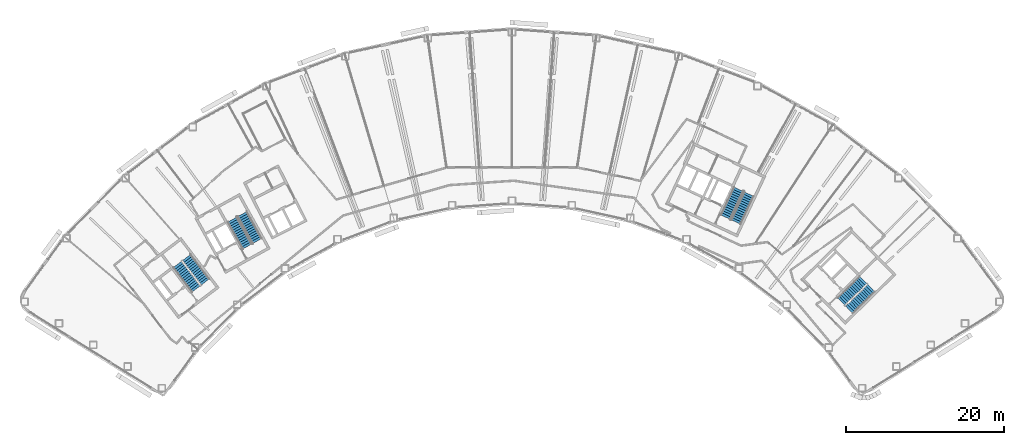
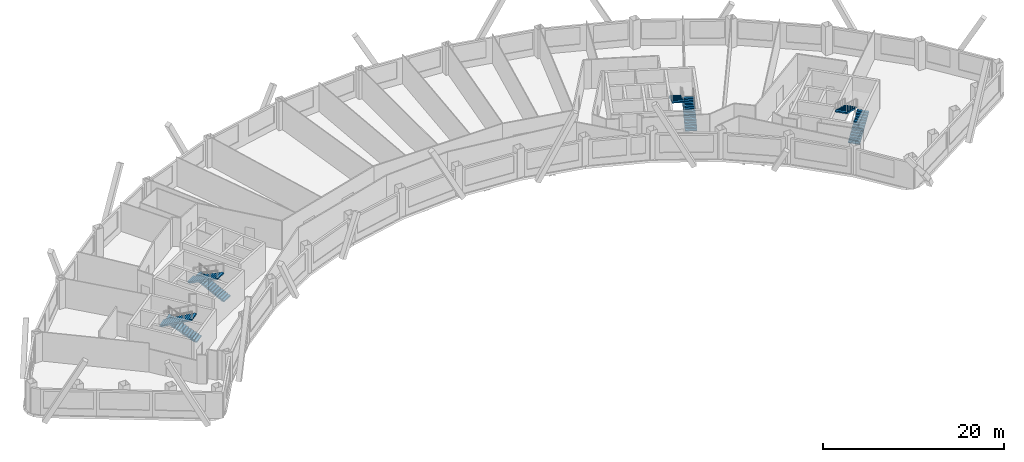
# One storey, part 12 of 14: 8 stair flights, 4 elements without a shape of their own.
"""IFC4 building model written with IfcOpenShell, lengths in metres."""

from ifc_helpers import new_model, si_unit, direction, frame, origin, place, context, subcontext, project, spatial, polyline, outline, extrude, material, type_object, element, aggregate, save


model = new_model("IFC4")

# Units and contexts
model_context = context("Model", 3, precision=1e-05, world=origin(), true_north=direction((0.0, 1.0)))
body_context = subcontext(model_context, "Body", "Model", "MODEL_VIEW")
ifc_project = project(units=[si_unit("LENGTHUNIT", "METRE"), si_unit("AREAUNIT", "SQUARE_METRE"), si_unit("VOLUMEUNIT", "CUBIC_METRE"), si_unit("PLANEANGLEUNIT", "RADIAN"), si_unit("MASSUNIT", "GRAM", prefix="KILO")], contexts=[model_context])

# Site, building, storey
site_placement = place(None, origin())
site = spatial("IfcSite", under=ifc_project, at=site_placement, CompositionType="ELEMENT")
building_placement = place(site_placement, origin())
building = spatial("IfcBuilding", under=site, at=building_placement, Name="Tuul Gate Civic Tower", CompositionType="ELEMENT")
storey_placement = place(building_placement, frame((0.0, 0.0, 209.5)))
storey = spatial("IfcBuildingStorey", under=building, at=storey_placement, Name="Level 47", CompositionType="ELEMENT", Elevation=209.5)

# Stair, stair flights
ifc_material_1 = material(Name="Concrete C40/50", Category="concrete")
stair_type = type_object("IfcStairType", Name="Exit stair", PredefinedType="HALF_TURN_STAIR", material=ifc_material_1)
stair_1_placement = place(storey_placement, origin())
stair_1 = element("IfcStair", 1, at=stair_1_placement, inside=storey, type_object=stair_type, Name="Level 47 ST-1", PredefinedType="HALF_TURN_STAIR")
ifc_material_2 = material(Name="Concrete C40/50", Category="concrete")
stair_flight_type = type_object("IfcStairFlightType", Name="Exit stair flight", PredefinedType="STRAIGHT", material=ifc_material_2)
stair_flight_1_placement = place(storey_placement, frame((-32.875244140625, -13.066650390625, 0.0), z_axis=(0.0, 0.0, 1.0), x_axis=(-0.605764474941, 0.795644016442, 0.0)))
stair_flight_1 = element("IfcStairFlight", 2, at=stair_flight_1_placement, type_object=stair_flight_type, Name="ST-1 flight 1", NumberOfRisers=14, NumberOfTreads=13, PredefinedType="STRAIGHT", RiserHeight=0.15, TreadLength=0.3, context=body_context, shape_type="SweptSolid", body=[
    extrude(outline(polyline([(0.0, 0.0), (0.0, 0.14990234375), (0.300048828125, 0.14990234375), (0.300048828125, 0.300048828125), (0.60009765625, 0.300048828125), (0.60009765625, 0.449951171875), (0.89990234375, 0.449951171875), (0.89990234375, 0.60009765625), (1.199951171875, 0.60009765625), (1.199951171875, 0.75), (1.5, 0.75), (1.5, 0.89990234375), (1.800048828125, 0.89990234375), (1.800048828125, 1.050048828125), (2.10009765625, 1.050048828125), (2.10009765625, 1.199951171875), (2.39990234375, 1.199951171875), (2.39990234375, 1.35009765625), (2.699951171875, 1.35009765625), (2.699951171875, 1.5), (3.0, 1.5), (3.0, 1.64990234375), (3.300048828125, 1.64990234375), (3.300048828125, 1.800048828125), (3.60009765625, 1.800048828125), (3.60009765625, 1.949951171875), (3.89990234375, 1.949951171875), (3.89990234375, 2.10009765625), (3.89990234375, 1.782470703125), (0.335205078125, 0.0), (0.0, 0.0)])), frame((0.0, 0.675048828125, 0.0), z_axis=(0.0, -1.0, 0.0), x_axis=(1.0, 0.0, 0.0)), (0.0, 0.0, 1.0), 1.35009765625),
])
stair_flight_2_placement = place(storey_placement, frame((-36.391357421875, -10.842041015625, 2.10009765625), z_axis=(0.0, 0.0, 1.0), x_axis=(0.605764474941, -0.795644016442, 0.0)))
stair_flight_2 = element("IfcStairFlight", 3, at=stair_flight_2_placement, type_object=stair_flight_type, Name="ST-1 flight 2", NumberOfRisers=14, NumberOfTreads=13, PredefinedType="STRAIGHT", RiserHeight=0.15, TreadLength=0.3, context=body_context, shape_type="SweptSolid", body=[
    extrude(outline(polyline([(0.0, 0.0), (0.0, 0.14990234375), (0.300048828125, 0.14990234375), (0.300048828125, 0.300048828125), (0.60009765625, 0.300048828125), (0.60009765625, 0.449951171875), (0.89990234375, 0.449951171875), (0.89990234375, 0.60009765625), (1.199951171875, 0.60009765625), (1.199951171875, 0.75), (1.5, 0.75), (1.5, 0.89990234375), (1.800048828125, 0.89990234375), (1.800048828125, 1.050048828125), (2.10009765625, 1.050048828125), (2.10009765625, 1.199951171875), (2.39990234375, 1.199951171875), (2.39990234375, 1.35009765625), (2.699951171875, 1.35009765625), (2.699951171875, 1.5), (3.0, 1.5), (3.0, 1.64990234375), (3.300048828125, 1.64990234375), (3.300048828125, 1.800048828125), (3.60009765625, 1.800048828125), (3.60009765625, 1.949951171875), (3.89990234375, 1.949951171875), (3.89990234375, 2.10009765625), (3.89990234375, 1.782470703125), (0.335205078125, 0.0), (0.0, 0.0)])), frame((0.0, 0.675048828125, 0.0), z_axis=(0.0, -1.0, 0.0), x_axis=(1.0, 0.0, 0.0)), (0.0, 0.0, 1.0), 1.35009765625),
])
aggregate(stair_1, [stair_flight_1, stair_flight_2])

stair_2_placement = place(storey_placement, origin())
stair_2 = element("IfcStair", 4, at=stair_2_placement, inside=storey, type_object=stair_type, Name="Level 47 ST-2", PredefinedType="HALF_TURN_STAIR")
stair_flight_3_placement = place(storey_placement, frame((-26.29150390625, -7.87646484375, 0.0), z_axis=(0.0, 0.0, 1.0), x_axis=(-0.484761763766, 0.874646232708, 0.0)))
stair_flight_3 = element("IfcStairFlight", 5, at=stair_flight_3_placement, type_object=stair_flight_type, Name="ST-2 flight 1", NumberOfRisers=14, NumberOfTreads=13, PredefinedType="STRAIGHT", RiserHeight=0.15, TreadLength=0.3, context=body_context, shape_type="SweptSolid", body=[
    extrude(outline(polyline([(0.0, 0.0), (0.0, 0.14990234375), (0.300048828125, 0.14990234375), (0.300048828125, 0.300048828125), (0.60009765625, 0.300048828125), (0.60009765625, 0.449951171875), (0.89990234375, 0.449951171875), (0.89990234375, 0.60009765625), (1.199951171875, 0.60009765625), (1.199951171875, 0.75), (1.5, 0.75), (1.5, 0.89990234375), (1.800048828125, 0.89990234375), (1.800048828125, 1.050048828125), (2.10009765625, 1.050048828125), (2.10009765625, 1.199951171875), (2.39990234375, 1.199951171875), (2.39990234375, 1.35009765625), (2.699951171875, 1.35009765625), (2.699951171875, 1.5), (3.0, 1.5), (3.0, 1.64990234375), (3.300048828125, 1.64990234375), (3.300048828125, 1.800048828125), (3.60009765625, 1.800048828125), (3.60009765625, 1.949951171875), (3.89990234375, 1.949951171875), (3.89990234375, 2.10009765625), (3.89990234375, 1.782470703125), (0.335205078125, 0.0), (0.0, 0.0)])), frame((0.0, 0.675048828125, 0.0), z_axis=(0.0, -1.0, 0.0), x_axis=(1.0, 0.0, 0.0)), (0.0, 0.0, 1.0), 1.35009765625),
])
stair_flight_4_placement = place(storey_placement, frame((-29.450439453125, -5.168212890625, 2.10009765625), z_axis=(0.0, 0.0, 1.0), x_axis=(0.484761763766, -0.874646232708, 0.0)))
stair_flight_4 = element("IfcStairFlight", 6, at=stair_flight_4_placement, type_object=stair_flight_type, Name="ST-2 flight 2", NumberOfRisers=14, NumberOfTreads=13, PredefinedType="STRAIGHT", RiserHeight=0.15, TreadLength=0.3, context=body_context, shape_type="SweptSolid", body=[
    extrude(outline(polyline([(0.0, 0.0), (0.0, 0.14990234375), (0.300048828125, 0.14990234375), (0.300048828125, 0.300048828125), (0.60009765625, 0.300048828125), (0.60009765625, 0.449951171875), (0.89990234375, 0.449951171875), (0.89990234375, 0.60009765625), (1.199951171875, 0.60009765625), (1.199951171875, 0.75), (1.5, 0.75), (1.5, 0.89990234375), (1.800048828125, 0.89990234375), (1.800048828125, 1.050048828125), (2.10009765625, 1.050048828125), (2.10009765625, 1.199951171875), (2.39990234375, 1.199951171875), (2.39990234375, 1.35009765625), (2.699951171875, 1.35009765625), (2.699951171875, 1.5), (3.0, 1.5), (3.0, 1.64990234375), (3.300048828125, 1.64990234375), (3.300048828125, 1.800048828125), (3.60009765625, 1.800048828125), (3.60009765625, 1.949951171875), (3.89990234375, 1.949951171875), (3.89990234375, 2.10009765625), (3.89990234375, 1.782470703125), (0.335205078125, 0.0), (0.0, 0.0)])), frame((0.0, 0.675048828125, 0.0), z_axis=(0.0, -1.0, 0.0), x_axis=(1.0, 0.0, 0.0)), (0.0, 0.0, 1.0), 1.35009765625),
])
aggregate(stair_2, [stair_flight_3, stair_flight_4])

stair_3_placement = place(storey_placement, origin())
stair_3 = element("IfcStair", 7, at=stair_3_placement, inside=storey, type_object=stair_type, Name="Level 47 ST-3", PredefinedType="HALF_TURN_STAIR")
stair_flight_5_placement = place(storey_placement, frame((48.61376953125, -16.581787109375, 0.0), z_axis=(0.0, 0.0, 1.0), x_axis=(0.714127290059, 0.700015866672, 0.0)))
stair_flight_5 = element("IfcStairFlight", 8, at=stair_flight_5_placement, type_object=stair_flight_type, Name="ST-3 flight 1", NumberOfRisers=14, NumberOfTreads=13, PredefinedType="STRAIGHT", RiserHeight=0.15, TreadLength=0.3, context=body_context, shape_type="SweptSolid", body=[
    extrude(outline(polyline([(0.0, 0.0), (0.0, 0.14990234375), (0.300048828125, 0.14990234375), (0.300048828125, 0.300048828125), (0.60009765625, 0.300048828125), (0.60009765625, 0.449951171875), (0.89990234375, 0.449951171875), (0.89990234375, 0.60009765625), (1.199951171875, 0.60009765625), (1.199951171875, 0.75), (1.5, 0.75), (1.5, 0.89990234375), (1.800048828125, 0.89990234375), (1.800048828125, 1.050048828125), (2.10009765625, 1.050048828125), (2.10009765625, 1.199951171875), (2.39990234375, 1.199951171875), (2.39990234375, 1.35009765625), (2.699951171875, 1.35009765625), (2.699951171875, 1.5), (3.0, 1.5), (3.0, 1.64990234375), (3.300048828125, 1.64990234375), (3.300048828125, 1.800048828125), (3.60009765625, 1.800048828125), (3.60009765625, 1.949951171875), (3.89990234375, 1.949951171875), (3.89990234375, 2.10009765625), (3.89990234375, 1.782470703125), (0.335205078125, 0.0), (0.0, 0.0)])), frame((0.0, 0.675048828125, 0.0), z_axis=(0.0, -1.0, 0.0), x_axis=(1.0, 0.0, 0.0)), (0.0, 0.0, 1.0), 1.35009765625),
])
stair_flight_6_placement = place(storey_placement, frame((50.3837890625, -12.816162109375, 2.10009765625), z_axis=(0.0, 0.0, 1.0), x_axis=(-0.714127290059, -0.700015866672, 0.0)))
stair_flight_6 = element("IfcStairFlight", 9, at=stair_flight_6_placement, type_object=stair_flight_type, Name="ST-3 flight 2", NumberOfRisers=14, NumberOfTreads=13, PredefinedType="STRAIGHT", RiserHeight=0.15, TreadLength=0.3, context=body_context, shape_type="SweptSolid", body=[
    extrude(outline(polyline([(0.0, 0.0), (0.0, 0.14990234375), (0.300048828125, 0.14990234375), (0.300048828125, 0.300048828125), (0.60009765625, 0.300048828125), (0.60009765625, 0.449951171875), (0.89990234375, 0.449951171875), (0.89990234375, 0.60009765625), (1.199951171875, 0.60009765625), (1.199951171875, 0.75), (1.5, 0.75), (1.5, 0.89990234375), (1.800048828125, 0.89990234375), (1.800048828125, 1.050048828125), (2.10009765625, 1.050048828125), (2.10009765625, 1.199951171875), (2.39990234375, 1.199951171875), (2.39990234375, 1.35009765625), (2.699951171875, 1.35009765625), (2.699951171875, 1.5), (3.0, 1.5), (3.0, 1.64990234375), (3.300048828125, 1.64990234375), (3.300048828125, 1.800048828125), (3.60009765625, 1.800048828125), (3.60009765625, 1.949951171875), (3.89990234375, 1.949951171875), (3.89990234375, 2.10009765625), (3.89990234375, 1.782470703125), (0.335205078125, 0.0), (0.0, 0.0)])), frame((0.0, 0.675048828125, 0.0), z_axis=(0.0, -1.0, 0.0), x_axis=(1.0, 0.0, 0.0)), (0.0, 0.0, 1.0), 1.35009765625),
])
aggregate(stair_3, [stair_flight_5, stair_flight_6])

stair_4_placement = place(storey_placement, origin())
stair_4 = element("IfcStair", 10, at=stair_4_placement, inside=storey, type_object=stair_type, Name="Level 47 ST-4", PredefinedType="HALF_TURN_STAIR")
stair_flight_7_placement = place(storey_placement, frame((34.278564453125, -5.478515625, 0.0), z_axis=(0.0, 0.0, 1.0), x_axis=(0.422576295988, 0.906327354806, 0.0)))
stair_flight_7 = element("IfcStairFlight", 11, at=stair_flight_7_placement, type_object=stair_flight_type, Name="ST-4 flight 1", NumberOfRisers=14, NumberOfTreads=13, PredefinedType="STRAIGHT", RiserHeight=0.15, TreadLength=0.3, context=body_context, shape_type="SweptSolid", body=[
    extrude(outline(polyline([(0.0, 0.0), (0.0, 0.14990234375), (0.300048828125, 0.14990234375), (0.300048828125, 0.300048828125), (0.60009765625, 0.300048828125), (0.60009765625, 0.449951171875), (0.89990234375, 0.449951171875), (0.89990234375, 0.60009765625), (1.199951171875, 0.60009765625), (1.199951171875, 0.75), (1.5, 0.75), (1.5, 0.89990234375), (1.800048828125, 0.89990234375), (1.800048828125, 1.050048828125), (2.10009765625, 1.050048828125), (2.10009765625, 1.199951171875), (2.39990234375, 1.199951171875), (2.39990234375, 1.35009765625), (2.699951171875, 1.35009765625), (2.699951171875, 1.5), (3.0, 1.5), (3.0, 1.64990234375), (3.300048828125, 1.64990234375), (3.300048828125, 1.800048828125), (3.60009765625, 1.800048828125), (3.60009765625, 1.949951171875), (3.89990234375, 1.949951171875), (3.89990234375, 2.10009765625), (3.89990234375, 1.782470703125), (0.335205078125, 0.0), (0.0, 0.0)])), frame((0.0, 0.675048828125, 0.0), z_axis=(0.0, -1.0, 0.0), x_axis=(1.0, 0.0, 0.0)), (0.0, 0.0, 1.0), 1.35009765625),
])
stair_flight_8_placement = place(storey_placement, frame((34.612548828125, -1.3310546875, 2.10009765625), z_axis=(0.0, 0.0, 1.0), x_axis=(-0.422576295988, -0.906327354806, 0.0)))
stair_flight_8 = element("IfcStairFlight", 12, at=stair_flight_8_placement, type_object=stair_flight_type, Name="ST-4 flight 2", NumberOfRisers=14, NumberOfTreads=13, PredefinedType="STRAIGHT", RiserHeight=0.15, TreadLength=0.3, context=body_context, shape_type="SweptSolid", body=[
    extrude(outline(polyline([(0.0, 0.0), (0.0, 0.14990234375), (0.300048828125, 0.14990234375), (0.300048828125, 0.300048828125), (0.60009765625, 0.300048828125), (0.60009765625, 0.449951171875), (0.89990234375, 0.449951171875), (0.89990234375, 0.60009765625), (1.199951171875, 0.60009765625), (1.199951171875, 0.75), (1.5, 0.75), (1.5, 0.89990234375), (1.800048828125, 0.89990234375), (1.800048828125, 1.050048828125), (2.10009765625, 1.050048828125), (2.10009765625, 1.199951171875), (2.39990234375, 1.199951171875), (2.39990234375, 1.35009765625), (2.699951171875, 1.35009765625), (2.699951171875, 1.5), (3.0, 1.5), (3.0, 1.64990234375), (3.300048828125, 1.64990234375), (3.300048828125, 1.800048828125), (3.60009765625, 1.800048828125), (3.60009765625, 1.949951171875), (3.89990234375, 1.949951171875), (3.89990234375, 2.10009765625), (3.89990234375, 1.782470703125), (0.335205078125, 0.0), (0.0, 0.0)])), frame((0.0, 0.675048828125, 0.0), z_axis=(0.0, -1.0, 0.0), x_axis=(1.0, 0.0, 0.0)), (0.0, 0.0, 1.0), 1.35009765625),
])
aggregate(stair_4, [stair_flight_7, stair_flight_8])

save(model, "model.ifc")
